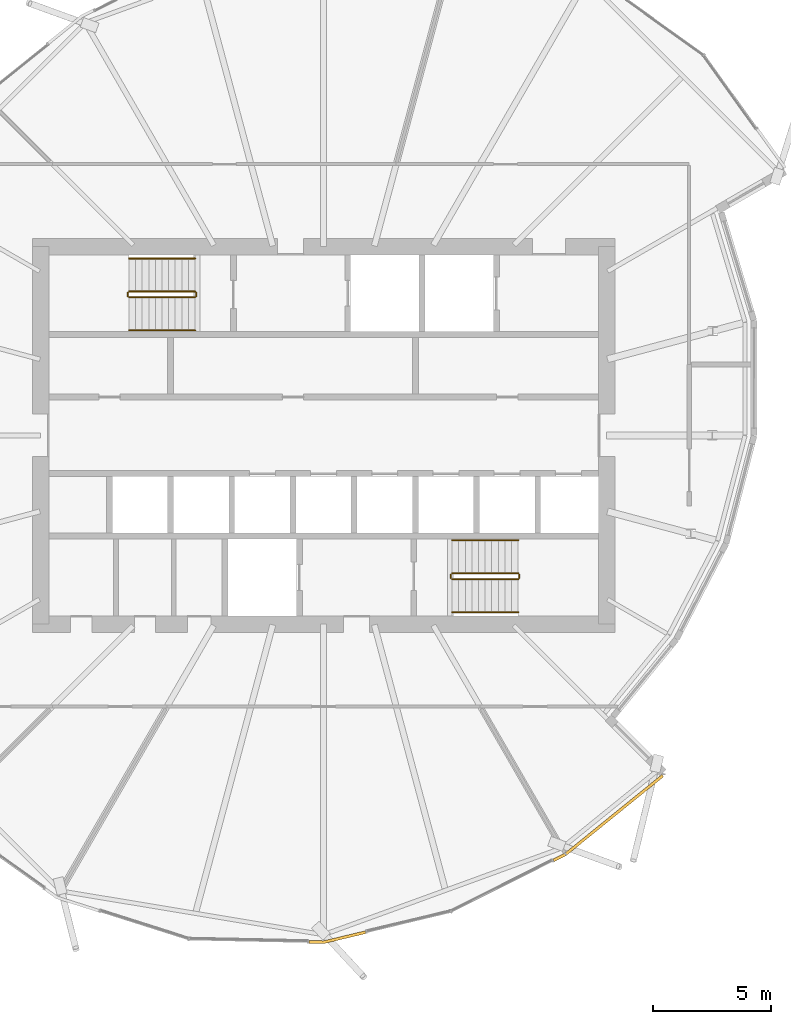
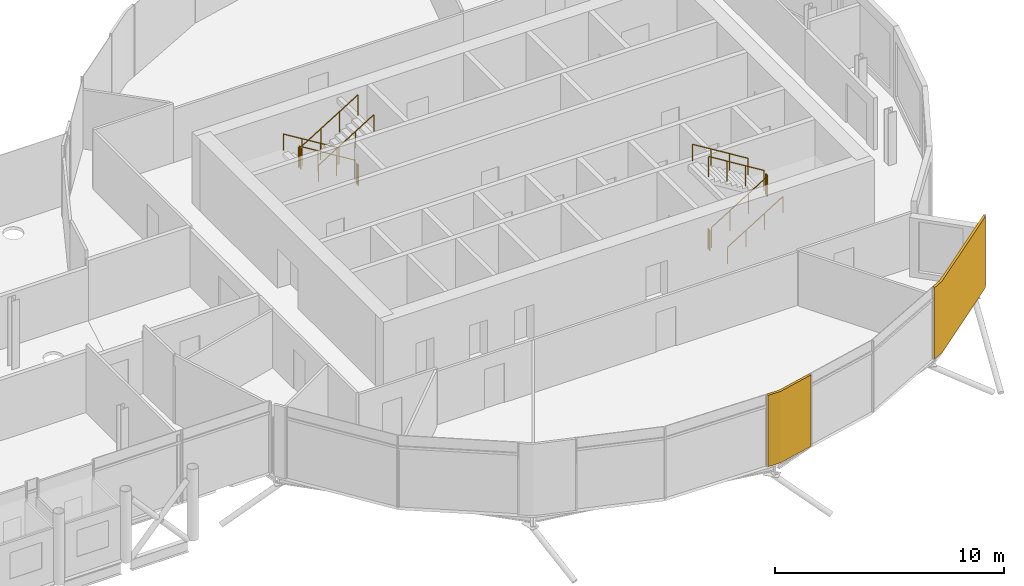
# One storey, part 38 of 39: 12 railings, 2 coverings.
"""IFC4 building model written with IfcOpenShell, lengths in metres."""

from ifc_helpers import new_model, si_unit, direction, frame, origin, origin_2d, place, context, subcontext, project, spatial, polyline, circle, outline, extrude, material, layer, layer_set, type_object, element, save


model = new_model("IFC4")

# Units and contexts
model_context = context("Model", 3, precision=1e-05, world=origin(), true_north=direction((0.0, 1.0)))
body_context = subcontext(model_context, "Body", "Model", "MODEL_VIEW")
ifc_project = project(units=[si_unit("LENGTHUNIT", "METRE"), si_unit("AREAUNIT", "SQUARE_METRE"), si_unit("VOLUMEUNIT", "CUBIC_METRE"), si_unit("PLANEANGLEUNIT", "RADIAN"), si_unit("MASSUNIT", "GRAM", prefix="KILO")], contexts=[model_context])

# Site, building, storey
site_placement = place(None, origin())
site = spatial("IfcSite", under=ifc_project, at=site_placement, CompositionType="ELEMENT")
building_placement = place(site_placement, origin())
building = spatial("IfcBuilding", under=site, at=building_placement, Name="Rimbun Link Towers", CompositionType="ELEMENT")
storey_placement = place(building_placement, frame((0.0, 0.0, 143.0)))
storey = spatial("IfcBuildingStorey", under=building, at=storey_placement, Name="L34", CompositionType="ELEMENT", Elevation=143.0)

# Coverings
ifc_material_1 = material(Name="Terracotta", Category="masonry")
ifc_layer = layer(ifc_material_1, 0.1201171875)
ifc_layer_set = layer_set([ifc_layer], Name="LINK PIER terracotta cladding 120")
covering_type = type_object("IfcCoveringType", Name="LINK PIER terracotta cladding 120", PredefinedType="CLADDING", material=ifc_layer_set)
covering_1_placement = place(storey_placement, origin())
element("IfcCovering", 1, at=covering_1_placement, inside=storey, type_object=covering_type, Name="LINK PIER cladding", PredefinedType="CLADDING", context=body_context, shape_type="SweptSolid", body=[
    extrude(outline(polyline([(33.52001953125, -21.0078125), (31.75, -21.43115234375), (31.130126953125, -21.418212890625), (31.127685546875, -21.5380859375), (31.762939453125, -21.551513671875), (33.548095703125, -21.12451171875), (33.52001953125, -21.0078125)])), origin(), (0.0, 0.0, 1.0), 3.800048828125),
])
covering_2_placement = place(storey_placement, origin())
element("IfcCovering", 2, at=covering_2_placement, inside=storey, type_object=covering_type, Name="LINK PIER cladding", PredefinedType="CLADDING", context=body_context, shape_type="SweptSolid", body=[
    extrude(outline(polyline([(46.092041015625, -14.38427734375), (41.9775390625, -17.714599609375), (41.468017578125, -17.970458984375), (41.52197265625, -18.07763671875), (42.04296875, -17.81591796875), (46.16748046875, -14.4775390625), (46.092041015625, -14.38427734375)])), origin(), (0.0, 0.0, 1.0), 3.800048828125),
])

# Railings
ifc_material_2 = material(Name="Stainless steel grade 316", Category="steel")
railing_type_1 = type_object("IfcRailingType", Name="Stair guard", PredefinedType="GUARDRAIL", material=ifc_material_2)
railing_1_placement = place(storey_placement, frame((26.300048828125, 6.10009765625, 0.172607421875)))
element("IfcRailing", 3, at=railing_1_placement, inside=storey, type_object=railing_type_1, Name="L34 ST3 stair guard 1", PredefinedType="GUARDRAIL", context=body_context, shape_type="SweptSolid", body=[
    extrude(circle(Radius=0.02392578125, at=origin_2d()), frame((0.0, 0.0, 1.076171875), z_axis=(-0.851089632645, 0.0, 0.525020415988), x_axis=(0.0, -1.0, 0.0)), (0.0, 0.0, 1.0), 3.2900390625),
    extrude(circle(Radius=0.02099609375, at=origin_2d()), origin(), (0.0, 0.0, 1.0), 1.052001953125),
    extrude(circle(Radius=0.02099609375, at=origin_2d()), frame((-0.933349609375, 0.0, 0.57568359375)), (0.0, 0.0, 1.0), 1.052001953125),
    extrude(circle(Radius=0.02099609375, at=origin_2d()), frame((-1.86669921875, 0.0, 1.151611328125)), (0.0, 0.0, 1.0), 1.052001953125),
    extrude(circle(Radius=0.02099609375, at=origin_2d()), frame((-2.800048828125, 0.0, 1.727294921875)), (0.0, 0.0, 1.0), 1.052001953125),
])
railing_2_placement = place(storey_placement, frame((23.449951171875, 6.050048828125, 1.89990234375)))
element("IfcRailing", 4, at=railing_2_placement, inside=storey, type_object=railing_type_1, Name="L34 ST3 stair guard 2", PredefinedType="GUARDRAIL", context=body_context, shape_type="SweptSolid", body=[
    extrude(circle(Radius=0.02392578125, at=origin_2d()), frame((0.0, 0.0, 1.076171875), z_axis=(0.0, -1.0, 0.0), x_axis=(1.0, 0.0, 0.0)), (0.0, 0.0, 1.0), 0.150146484375),
    extrude(circle(Radius=0.02099609375, at=origin_2d()), origin(), (0.0, 0.0, 1.0), 1.052001953125),
    extrude(circle(Radius=0.02099609375, at=origin_2d()), frame((0.0, -0.150146484375, 0.0)), (0.0, 0.0, 1.0), 1.052001953125),
])
railing_3_placement = place(storey_placement, frame((23.5, 5.85009765625, 2.07275390625)))
element("IfcRailing", 5, at=railing_3_placement, inside=storey, type_object=railing_type_1, Name="L34 ST3 stair guard 3", PredefinedType="GUARDRAIL", context=body_context, shape_type="SweptSolid", body=[
    extrude(circle(Radius=0.02392578125, at=origin_2d()), frame((0.0, 0.0, 1.076171875), z_axis=(0.851089632645, 0.0, 0.525020415988), x_axis=(0.0, 1.0, 0.0)), (0.0, 0.0, 1.0), 3.2900390625),
    extrude(circle(Radius=0.02099609375, at=origin_2d()), origin(), (0.0, 0.0, 1.0), 1.052001953125),
    extrude(circle(Radius=0.02099609375, at=origin_2d()), frame((0.933349609375, 0.0, 0.57568359375)), (0.0, 0.0, 1.0), 1.052001953125),
    extrude(circle(Radius=0.02099609375, at=origin_2d()), frame((1.86669921875, 0.0, 1.151611328125)), (0.0, 0.0, 1.0), 1.052001953125),
    extrude(circle(Radius=0.02099609375, at=origin_2d()), frame((2.800048828125, 0.0, 1.727294921875)), (0.0, 0.0, 1.0), 1.052001953125),
])
railing_4_placement = place(storey_placement, frame((26.35009765625, 6.050048828125, 0.0)))
element("IfcRailing", 6, at=railing_4_placement, inside=storey, type_object=railing_type_1, Name="L34 ST3 stair guard 4", PredefinedType="GUARDRAIL", context=body_context, shape_type="SweptSolid", body=[
    extrude(circle(Radius=0.02392578125, at=origin_2d()), frame((0.0, 0.0, 1.076171875), z_axis=(0.0, -1.0, 0.0), x_axis=(1.0, 0.0, 0.0)), (0.0, 0.0, 1.0), 0.150146484375),
    extrude(circle(Radius=0.02099609375, at=origin_2d()), origin(), (0.0, 0.0, 1.0), 1.052001953125),
    extrude(circle(Radius=0.02099609375, at=origin_2d()), frame((0.0, -0.150146484375, 0.0)), (0.0, 0.0, 1.0), 1.052001953125),
])
railing_5_placement = place(storey_placement, frame((37.199951171875, -6.10009765625, 0.172607421875)))
element("IfcRailing", 7, at=railing_5_placement, inside=storey, type_object=railing_type_1, Name="L34 ST4 stair guard 1", PredefinedType="GUARDRAIL", context=body_context, shape_type="SweptSolid", body=[
    extrude(circle(Radius=0.02392578125, at=origin_2d()), frame((0.0, 0.0, 1.076171875), z_axis=(0.851089632645, 0.0, 0.525020415988), x_axis=(0.0, 1.0, 0.0)), (0.0, 0.0, 1.0), 3.2900390625),
    extrude(circle(Radius=0.02099609375, at=origin_2d()), origin(), (0.0, 0.0, 1.0), 1.052001953125),
    extrude(circle(Radius=0.02099609375, at=origin_2d()), frame((0.933349609375, 0.0, 0.57568359375)), (0.0, 0.0, 1.0), 1.052001953125),
    extrude(circle(Radius=0.02099609375, at=origin_2d()), frame((1.86669921875, 0.0, 1.151611328125)), (0.0, 0.0, 1.0), 1.052001953125),
    extrude(circle(Radius=0.02099609375, at=origin_2d()), frame((2.800048828125, 0.0, 1.727294921875)), (0.0, 0.0, 1.0), 1.052001953125),
])
railing_6_placement = place(storey_placement, frame((40.050048828125, -6.050048828125, 1.89990234375)))
element("IfcRailing", 8, at=railing_6_placement, inside=storey, type_object=railing_type_1, Name="L34 ST4 stair guard 2", PredefinedType="GUARDRAIL", context=body_context, shape_type="SweptSolid", body=[
    extrude(circle(Radius=0.02392578125, at=origin_2d()), frame((0.0, 0.0, 1.076171875), z_axis=(0.0, 1.0, 0.0), x_axis=(-1.0, 0.0, 0.0)), (0.0, 0.0, 1.0), 0.150146484375),
    extrude(circle(Radius=0.02099609375, at=origin_2d()), origin(), (0.0, 0.0, 1.0), 1.052001953125),
    extrude(circle(Radius=0.02099609375, at=origin_2d()), frame((0.0, 0.150146484375, 0.0)), (0.0, 0.0, 1.0), 1.052001953125),
])
railing_7_placement = place(storey_placement, frame((40.0, -5.85009765625, 2.07275390625)))
element("IfcRailing", 9, at=railing_7_placement, inside=storey, type_object=railing_type_1, Name="L34 ST4 stair guard 3", PredefinedType="GUARDRAIL", context=body_context, shape_type="SweptSolid", body=[
    extrude(circle(Radius=0.02392578125, at=origin_2d()), frame((0.0, 0.0, 1.076171875), z_axis=(-0.851089632645, 0.0, 0.525020415988), x_axis=(0.0, -1.0, 0.0)), (0.0, 0.0, 1.0), 3.2900390625),
    extrude(circle(Radius=0.02099609375, at=origin_2d()), origin(), (0.0, 0.0, 1.0), 1.052001953125),
    extrude(circle(Radius=0.02099609375, at=origin_2d()), frame((-0.933349609375, 0.0, 0.57568359375)), (0.0, 0.0, 1.0), 1.052001953125),
    extrude(circle(Radius=0.02099609375, at=origin_2d()), frame((-1.86669921875, 0.0, 1.151611328125)), (0.0, 0.0, 1.0), 1.052001953125),
    extrude(circle(Radius=0.02099609375, at=origin_2d()), frame((-2.800048828125, 0.0, 1.727294921875)), (0.0, 0.0, 1.0), 1.052001953125),
])
railing_8_placement = place(storey_placement, frame((37.14990234375, -6.050048828125, 0.0)))
element("IfcRailing", 10, at=railing_8_placement, inside=storey, type_object=railing_type_1, Name="L34 ST4 stair guard 4", PredefinedType="GUARDRAIL", context=body_context, shape_type="SweptSolid", body=[
    extrude(circle(Radius=0.02392578125, at=origin_2d()), frame((0.0, 0.0, 1.076171875), z_axis=(0.0, 1.0, 0.0), x_axis=(-1.0, 0.0, 0.0)), (0.0, 0.0, 1.0), 0.150146484375),
    extrude(circle(Radius=0.02099609375, at=origin_2d()), origin(), (0.0, 0.0, 1.0), 1.052001953125),
    extrude(circle(Radius=0.02099609375, at=origin_2d()), frame((0.0, 0.150146484375, 0.0)), (0.0, 0.0, 1.0), 1.052001953125),
])
ifc_material_3 = material(Name="Stainless steel grade 316", Category="steel")
railing_type_2 = type_object("IfcRailingType", Name="Stair handrail", PredefinedType="HANDRAIL", material=ifc_material_3)
railing_9_placement = place(storey_placement, frame((26.300048828125, 7.5, 0.172607421875)))
element("IfcRailing", 11, at=railing_9_placement, inside=storey, type_object=railing_type_2, Name="L34 ST3 stair handrail 1", PredefinedType="HANDRAIL", context=body_context, shape_type="SweptSolid", body=[
    extrude(circle(Radius=0.02392578125, at=origin_2d()), frame((0.0, 0.0, 0.8759765625), z_axis=(-0.851089632645, 0.0, 0.525020415988), x_axis=(0.0, -1.0, 0.0)), (0.0, 0.0, 1.0), 3.2900390625),
    extrude(circle(Radius=0.02099609375, at=origin_2d()), origin(), (0.0, 0.0, 1.0), 0.851806640625),
    extrude(circle(Radius=0.02099609375, at=origin_2d()), frame((-0.933349609375, 0.0, 0.57568359375)), (0.0, 0.0, 1.0), 0.851806640625),
    extrude(circle(Radius=0.02099609375, at=origin_2d()), frame((-1.86669921875, 0.0, 1.151611328125)), (0.0, 0.0, 1.0), 0.851806640625),
    extrude(circle(Radius=0.02099609375, at=origin_2d()), frame((-2.800048828125, 0.0, 1.727294921875)), (0.0, 0.0, 1.0), 0.851806640625),
])
for number, where, name in (
    (12, (23.5, 4.449951171875, 2.07275390625), "L34 ST3 stair handrail 2"),
    (13, (37.199951171875, -7.5, 0.172607421875), "L34 ST4 stair handrail 1"),
):
    element("IfcRailing", number, at=place(storey_placement, frame(where)), inside=storey, type_object=railing_type_2, Name=name, PredefinedType="HANDRAIL", context=body_context, shape_type="SweptSolid", body=[
        extrude(circle(Radius=0.02392578125, at=origin_2d()), frame((0.0, 0.0, 0.8759765625), z_axis=(0.851089632645, 0.0, 0.525020415988), x_axis=(0.0, 1.0, 0.0)), (0.0, 0.0, 1.0), 3.2900390625),
        extrude(circle(Radius=0.02099609375, at=origin_2d()), origin(), (0.0, 0.0, 1.0), 0.851806640625),
        extrude(circle(Radius=0.02099609375, at=origin_2d()), frame((0.933349609375, 0.0, 0.57568359375)), (0.0, 0.0, 1.0), 0.851806640625),
        extrude(circle(Radius=0.02099609375, at=origin_2d()), frame((1.86669921875, 0.0, 1.151611328125)), (0.0, 0.0, 1.0), 0.851806640625),
        extrude(circle(Radius=0.02099609375, at=origin_2d()), frame((2.800048828125, 0.0, 1.727294921875)), (0.0, 0.0, 1.0), 0.851806640625),
    ])
railing_10_placement = place(storey_placement, frame((40.0, -4.449951171875, 2.07275390625)))
element("IfcRailing", 14, at=railing_10_placement, inside=storey, type_object=railing_type_2, Name="L34 ST4 stair handrail 2", PredefinedType="HANDRAIL", context=body_context, shape_type="SweptSolid", body=[
    extrude(circle(Radius=0.02392578125, at=origin_2d()), frame((0.0, 0.0, 0.8759765625), z_axis=(-0.851089632645, 0.0, 0.525020415988), x_axis=(0.0, -1.0, 0.0)), (0.0, 0.0, 1.0), 3.2900390625),
    extrude(circle(Radius=0.02099609375, at=origin_2d()), origin(), (0.0, 0.0, 1.0), 0.851806640625),
    extrude(circle(Radius=0.02099609375, at=origin_2d()), frame((-0.933349609375, 0.0, 0.57568359375)), (0.0, 0.0, 1.0), 0.851806640625),
    extrude(circle(Radius=0.02099609375, at=origin_2d()), frame((-1.86669921875, 0.0, 1.151611328125)), (0.0, 0.0, 1.0), 0.851806640625),
    extrude(circle(Radius=0.02099609375, at=origin_2d()), frame((-2.800048828125, 0.0, 1.727294921875)), (0.0, 0.0, 1.0), 0.851806640625),
])

save(model, "model.ifc")
